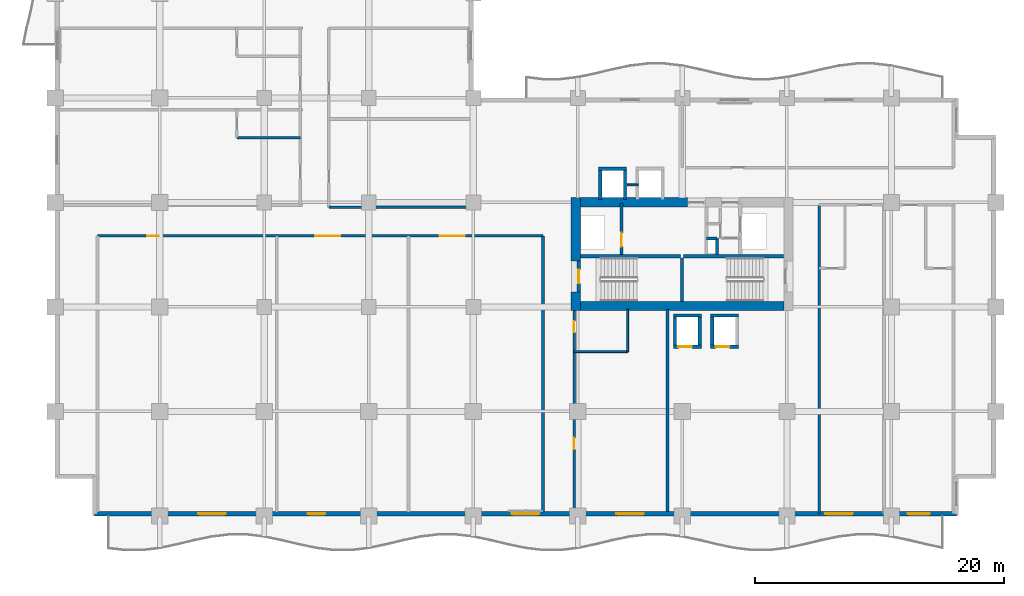
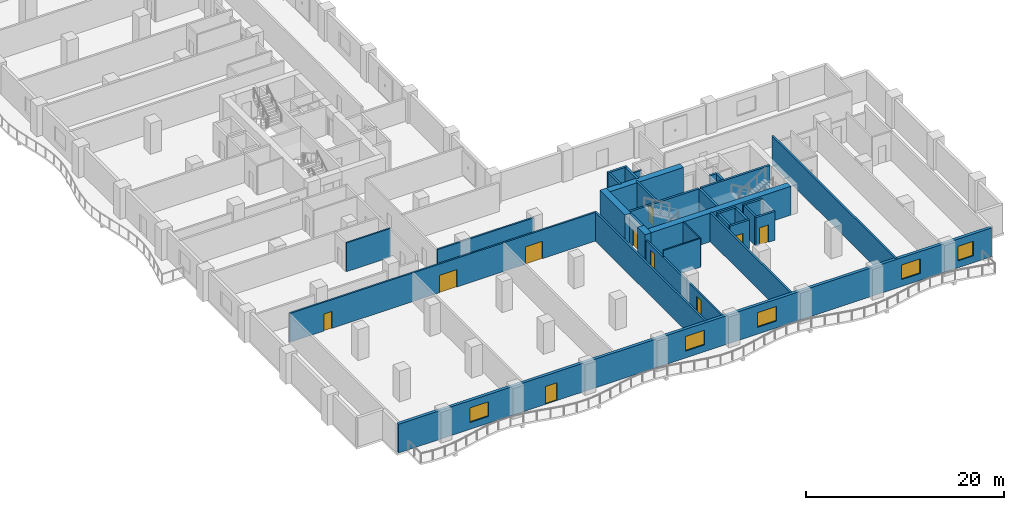
# One storey, part 4 of 18: 32 walls, 10 doors, 5 windows, 15 openings.
"""IFC4 building model written with IfcOpenShell, lengths in metres."""

from ifc_helpers import new_model, si_unit, direction, frame, frame_2d, origin, place, context, subcontext, project, spatial, rectangle, extrude, material, layer, layer_set, type_object, element, fill, save


model = new_model("IFC4")

# Units and contexts
model_context = context("Model", 3, precision=1e-05, world=origin(), true_north=direction((0.0, 1.0)))
body_context = subcontext(model_context, "Body", "Model", "MODEL_VIEW")
ifc_project = project(units=[si_unit("LENGTHUNIT", "METRE"), si_unit("AREAUNIT", "SQUARE_METRE"), si_unit("VOLUMEUNIT", "CUBIC_METRE"), si_unit("PLANEANGLEUNIT", "RADIAN"), si_unit("MASSUNIT", "GRAM", prefix="KILO")], contexts=[model_context])

# Site, building, storey
site_placement = place(None, origin())
site = spatial("IfcSite", under=ifc_project, at=site_placement, CompositionType="ELEMENT")
building_placement = place(site_placement, origin())
building = spatial("IfcBuilding", under=site, at=building_placement, Name="Koriwani Terraces Tower", CompositionType="ELEMENT")
storey_placement = place(building_placement, frame((0.0, 0.0, 145.60009765625)))
storey = spatial("IfcBuildingStorey", under=building, at=storey_placement, Name="L35", CompositionType="ELEMENT", Elevation=145.60009765625)

# Walls
ifc_material_1 = material(Name="Concrete C60/75", Category="concrete")
ifc_layer_1 = layer(ifc_material_1, 0.75, Name="Concrete C60/75")
ifc_layer_set_1 = layer_set([ifc_layer_1], Name="Concrete C60/75")
wall_type_1 = type_object("IfcWallType", Name="WALL_CORE_RC_750", PredefinedType="SHEAR", material=ifc_layer_set_1)
wall_1_placement = place(storey_placement, frame((41.824951171875, 16.5, 0.0), z_axis=(0.0, 0.0, 1.0), x_axis=(0.0, 1.0, 0.0)))
element("IfcWall", 1, at=wall_1_placement, inside=storey, type_object=wall_type_1, Name="L35 East Split Core Shear Wall W1", PredefinedType="SHEAR", context=body_context, shape_type="SweptSolid", body=[
    extrude(rectangle(XDim=1.5, YDim=0.75, at=frame_2d((0.75, 0.0))), origin(), (0.0, 0.0, 1.0), 3.5498046875),
])
wall_2_placement = place(storey_placement, frame((41.824951171875, 20.5, 0.0), z_axis=(0.0, 0.0, 1.0), x_axis=(0.0, 1.0, 0.0)))
element("IfcWall", 2, at=wall_2_placement, inside=storey, type_object=wall_type_1, Name="L35 East Split Core Shear Wall W2", PredefinedType="SHEAR", context=body_context, shape_type="SweptSolid", body=[
    extrude(rectangle(XDim=5.074951171875, YDim=0.75, at=frame_2d((2.53759765625, 0.0))), origin(), (0.0, 0.0, 1.0), 3.5498046875),
])
wall_3_placement = place(storey_placement, frame((42.199951171875, 16.875, 0.0), z_axis=(0.0, 0.0, 1.0), x_axis=(1.0, 0.0, 0.0)))
element("IfcWall", 3, at=wall_3_placement, inside=storey, type_object=wall_type_1, Name="L35 East Split Core Shear Wall S1", PredefinedType="SHEAR", context=body_context, shape_type="SweptSolid", body=[
    extrude(rectangle(XDim=16.35009765625, YDim=0.75, at=frame_2d((8.175048828125, 0.0))), origin(), (0.0, 0.0, 1.0), 3.5498046875),
])
wall_4_placement = place(storey_placement, frame((42.199951171875, 25.199951171875, 0.0), z_axis=(0.0, 0.0, 1.0), x_axis=(1.0, 0.0, 0.0)))
element("IfcWall", 4, at=wall_4_placement, inside=storey, type_object=wall_type_1, Name="L35 East Split Core Shear Wall N1", PredefinedType="SHEAR", context=body_context, shape_type="SweptSolid", body=[
    extrude(rectangle(XDim=8.60009765625, YDim=0.75, at=frame_2d((4.300048828125, 0.0))), origin(), (0.0, 0.0, 1.0), 3.5498046875),
])

# Wall, openings, doors
ifc_material_2 = material(Name="Autoclaved Cellular Concrete Blockwork", Category="masonry")
ifc_layer_2 = layer(ifc_material_2, 0.199951171875, Name="Autoclaved Cellular Concrete Blockwork")
ifc_layer_set_2 = layer_set([ifc_layer_2], Name="Autoclaved Cellular Concrete Blockwork")
wall_type_2 = type_object("IfcWallType", Name="WALL_CORRIDOR_200", PredefinedType="PARTITIONING", material=ifc_layer_set_2)
wall_5_placement = place(storey_placement, frame((41.699951171875, 0.35009765625, 0.0), z_axis=(0.0, 0.0, 1.0), x_axis=(0.0, 1.0, 0.0)))
wall_5 = element("IfcWall", 5, at=wall_5_placement, inside=storey, type_object=wall_type_2, Name="L35 Interior Wall WREC-EW-L35", PredefinedType="PARTITIONING", context=body_context, shape_type="SweptSolid", body=[
    extrude(rectangle(XDim=16.25, YDim=0.199951171875, at=frame_2d((8.125, 0.0))), origin(), (0.0, 0.0, 1.0), 2.7998046875),
])
opening_1_placement = place(wall_5_placement, frame((5.0, 0.0, 0.0)))
opening_1 = element("IfcOpeningElement", 6, at=opening_1_placement, cuts=wall_5, Name="Opening D-06", PredefinedType="OPENING", context=body_context, shape_type="SweptSolid", body=[
    extrude(rectangle(XDim=0.919921875, YDim=2.10009765625, at=frame_2d((0.4599609375, 1.050048828125))), frame((0.0, 0.10986328125, 0.0), z_axis=(0.0, -1.0, 0.0), x_axis=(1.0, 0.0, 0.0)), (0.0, 0.0, 1.0), 0.219970703125),
])
opening_2_placement = place(wall_5_placement, frame((14.39990234375, 0.0, 0.0)))
opening_2 = element("IfcOpeningElement", 7, at=opening_2_placement, cuts=wall_5, Name="Opening D-07", PredefinedType="OPENING", context=body_context, shape_type="SweptSolid", body=[
    extrude(rectangle(XDim=0.89990234375, YDim=2.10009765625, at=frame_2d((0.449951171875, 1.050048828125))), frame((0.0, 0.10986328125, 0.0), z_axis=(0.0, -1.0, 0.0), x_axis=(1.0, 0.0, 0.0)), (0.0, 0.0, 1.0), 0.219970703125),
])
ifc_material_3 = material(Name="Architectural Oak Fire Door", Category="wood")
door_type_1 = type_object("IfcDoorType", Name="DOOR_BATH_INT_900X2100", OperationType="NOTDEFINED", PredefinedType="DOOR", material=ifc_material_3)
door_1_placement = place(opening_2_placement, origin())
door_1 = element("IfcDoor", 8, at=door_1_placement, inside=storey, type_object=door_type_1, Name="L35 Linen Closet Door", OperationType="SINGLE_SWING_LEFT", OverallHeight=2.10009765625, OverallWidth=0.89990234375, PredefinedType="DOOR", context=body_context, shape_type="SweptSolid", body=[
    extrude(rectangle(XDim=0.89990234375, YDim=2.10009765625, at=frame_2d((0.449951171875, 1.050048828125))), frame((0.0, 0.02490234375, 0.0), z_axis=(0.0, -1.0, 0.0), x_axis=(1.0, 0.0, 0.0)), (0.0, 0.0, 1.0), 0.050048828125),
])
fill(opening_2, door_1)
door_type_2 = type_object("IfcDoorType", Name="DOOR_ROOM_INT_920X2100", OperationType="NOTDEFINED", PredefinedType="DOOR", material=ifc_material_3)
door_2_placement = place(opening_1_placement, origin())
door_2 = element("IfcDoor", 9, at=door_2_placement, inside=storey, type_object=door_type_2, Name="L35 Floor Study Lounge Door", OperationType="SINGLE_SWING_RIGHT", OverallHeight=2.10009765625, OverallWidth=0.919921875, PredefinedType="DOOR", context=body_context, shape_type="SweptSolid", body=[
    extrude(rectangle(XDim=0.919921875, YDim=2.10009765625, at=frame_2d((0.4599609375, 1.050048828125))), frame((0.0, 0.02490234375, 0.0), z_axis=(0.0, -1.0, 0.0), x_axis=(1.0, 0.0, 0.0)), (0.0, 0.0, 1.0), 0.050048828125),
])
fill(opening_1, door_2)

# Wall
wall_6_placement = place(storey_placement, frame((22.0, 24.800048828125, 0.0), z_axis=(0.0, 0.0, 1.0), x_axis=(1.0, 0.0, 0.0)))
element("IfcWall", 10, at=wall_6_placement, inside=storey, type_object=wall_type_2, Name="L35 Interior Wall WIC2-S-L35", PredefinedType="PARTITIONING", context=body_context, shape_type="SweptSolid", body=[
    extrude(rectangle(XDim=11.300048828125, YDim=0.199951171875, at=frame_2d((5.64990234375, 0.0))), origin(), (0.0, 0.0, 1.0), 3.5498046875),
])

# Wall, openings, doors
wall_7_placement = place(storey_placement, frame((3.39990234375, 22.5, 0.0), z_axis=(0.0, 0.0, 1.0), x_axis=(1.0, 0.0, 0.0)))
wall_7 = element("IfcWall", 11, at=wall_7_placement, inside=storey, type_object=wall_type_2, Name="L35 Interior Wall WC2CLB-L35", PredefinedType="PARTITIONING", context=body_context, shape_type="SweptSolid", body=[
    extrude(rectangle(XDim=35.800048828125, YDim=0.199951171875, at=frame_2d((17.89990234375, 0.0))), origin(), (0.0, 0.0, 1.0), 3.5498046875),
])
opening_3_placement = place(wall_7_placement, frame((4.0, 0.0, 0.0)))
opening_3 = element("IfcOpeningElement", 12, at=opening_3_placement, cuts=wall_7, Name="Opening D-06", PredefinedType="OPENING", context=body_context, shape_type="SweptSolid", body=[
    extrude(rectangle(XDim=0.919921875, YDim=2.10009765625, at=frame_2d((0.4599609375, 1.050048828125))), frame((0.0, 0.10986328125, 0.0), z_axis=(0.0, -1.0, 0.0), x_axis=(1.0, 0.0, 0.0)), (0.0, 0.0, 1.0), 0.219970703125),
])
opening_4_placement = place(wall_7_placement, frame((17.5, 0.0, 0.0)))
opening_4 = element("IfcOpeningElement", 13, at=opening_4_placement, cuts=wall_7, Name="Opening D-02", PredefinedType="OPENING", context=body_context, shape_type="SweptSolid", body=[
    extrude(rectangle(XDim=2.0, YDim=2.14990234375, at=frame_2d((1.0, 1.074951171875))), frame((0.0, 0.10986328125, 0.0), z_axis=(0.0, -1.0, 0.0), x_axis=(1.0, 0.0, 0.0)), (0.0, 0.0, 1.0), 0.219970703125),
])
opening_5_placement = place(wall_7_placement, frame((27.5, 0.0, 0.0)))
opening_5 = element("IfcOpeningElement", 14, at=opening_5_placement, cuts=wall_7, Name="Opening D-02", PredefinedType="OPENING", context=body_context, shape_type="SweptSolid", body=[
    extrude(rectangle(XDim=2.0, YDim=2.14990234375, at=frame_2d((1.0, 1.074951171875))), frame((0.0, 0.10986328125, 0.0), z_axis=(0.0, -1.0, 0.0), x_axis=(1.0, 0.0, 0.0)), (0.0, 0.0, 1.0), 0.219970703125),
])
ifc_material_4 = material(Name="Anodised Bronze Aluminium", Category="aluminium")
door_type_3 = type_object("IfcDoorType", Name="DOOR_ENTRANCE_DOUBLE_2000X2400", OperationType="NOTDEFINED", PredefinedType="DOOR", material=ifc_material_4)
door_3_placement = place(opening_4_placement, origin())
door_3 = element("IfcDoor", 15, at=door_3_placement, inside=storey, type_object=door_type_3, Name="L35 Sky Club Lounge Door", OperationType="SINGLE_SWING_RIGHT", OverallHeight=2.14990234375, OverallWidth=2.0, PredefinedType="DOOR", context=body_context, shape_type="SweptSolid", body=[
    extrude(rectangle(XDim=2.0, YDim=2.14990234375, at=frame_2d((1.0, 1.074951171875))), frame((0.0, 0.02490234375, 0.0), z_axis=(0.0, -1.0, 0.0), x_axis=(1.0, 0.0, 0.0)), (0.0, 0.0, 1.0), 0.050048828125),
])
fill(opening_4, door_3)
door_4_placement = place(opening_5_placement, origin())
door_4 = element("IfcDoor", 16, at=door_4_placement, inside=storey, type_object=door_type_3, Name="L35 Private Dining Room Door", OperationType="SINGLE_SWING_LEFT", OverallHeight=2.14990234375, OverallWidth=2.0, PredefinedType="DOOR", context=body_context, shape_type="SweptSolid", body=[
    extrude(rectangle(XDim=2.0, YDim=2.14990234375, at=frame_2d((1.0, 1.074951171875))), frame((0.0, 0.02490234375, 0.0), z_axis=(0.0, -1.0, 0.0), x_axis=(1.0, 0.0, 0.0)), (0.0, 0.0, 1.0), 0.050048828125),
])
fill(opening_5, door_4)
door_5_placement = place(opening_3_placement, origin())
door_5 = element("IfcDoor", 17, at=door_5_placement, inside=storey, type_object=door_type_2, Name="L35 Wine Tasting Cellar Door", OperationType="SINGLE_SWING_LEFT", OverallHeight=2.10009765625, OverallWidth=0.919921875, PredefinedType="DOOR", context=body_context, shape_type="SweptSolid", body=[
    extrude(rectangle(XDim=0.919921875, YDim=2.10009765625, at=frame_2d((0.4599609375, 1.050048828125))), frame((0.0, 0.02490234375, 0.0), z_axis=(0.0, -1.0, 0.0), x_axis=(1.0, 0.0, 0.0)), (0.0, 0.0, 1.0), 0.050048828125),
])
fill(opening_3, door_5)

# Walls
ifc_layer_3 = layer(ifc_material_2, 0.219970703125, Name="Autoclaved Cellular Concrete Blockwork")
ifc_layer_set_3 = layer_set([ifc_layer_3], Name="Autoclaved Cellular Concrete Blockwork")
wall_type_3 = type_object("IfcWallType", Name="WALL_DEMISING_220", PredefinedType="PARTITIONING", material=ifc_layer_set_3)
wall_8_placement = place(storey_placement, frame((49.199951171875, 0.35009765625, 0.0), z_axis=(0.0, 0.0, 1.0), x_axis=(0.0, 1.0, 0.0)))
element("IfcWall", 18, at=wall_8_placement, inside=storey, type_object=wall_type_3, Name="L35 Interior Wall WREC-EE-L35", PredefinedType="PARTITIONING", context=body_context, shape_type="SweptSolid", body=[
    extrude(rectangle(XDim=16.25, YDim=0.219970703125, at=frame_2d((8.125, 0.0))), origin(), (0.0, 0.0, 1.0), 3.5498046875),
])
wall_9_placement = place(storey_placement, frame((39.199951171875, 0.300048828125, 0.0), z_axis=(0.0, 0.0, 1.0), x_axis=(0.0, 1.0, 0.0)))
element("IfcWall", 19, at=wall_9_placement, inside=storey, type_object=wall_type_3, Name="L35 Interior Wall WC2CLBE-L35", PredefinedType="PARTITIONING", context=body_context, shape_type="SweptSolid", body=[
    extrude(rectangle(XDim=22.199951171875, YDim=0.219970703125, at=frame_2d((11.10009765625, 0.0))), origin(), (0.0, 0.0, 1.0), 3.5498046875),
])
wall_10_placement = place(storey_placement, frame((61.39990234375, 0.199951171875, 0.0), z_axis=(0.0, 0.0, 1.0), x_axis=(0.0, 1.0, 0.0)))
element("IfcWall", 20, at=wall_10_placement, inside=storey, type_object=wall_type_3, Name="L35 Interior Wall WDEM-L35-SE-0", PredefinedType="PARTITIONING", context=body_context, shape_type="SweptSolid", body=[
    extrude(rectangle(XDim=24.97998046875, YDim=0.219970703125, at=frame_2d((12.489990234375, 0.0))), origin(), (0.0, 0.0, 1.0), 3.5498046875),
])

# Wall, openings, door, windows
ifc_material_5 = material(Name="Concrete C50/60", Category="concrete")
ifc_layer_4 = layer(ifc_material_5, 0.35009765625, Name="Concrete C50/60")
ifc_layer_set_4 = layer_set([ifc_layer_4], Name="Concrete C50/60")
wall_type_4 = type_object("IfcWallType", Name="WALL_EXT_BRUTALIST_350", PredefinedType="STANDARD", material=ifc_layer_set_4)
wall_11_placement = place(storey_placement, frame((72.425048828125, 0.175048828125, 0.0), z_axis=(0.0, 0.0, 1.0), x_axis=(-1.0, 0.0, 0.0)))
wall_11 = element("IfcWall", 21, at=wall_11_placement, inside=storey, type_object=wall_type_4, Name="L35 Fair-Faced Brutalist Exterior Wall (S)", PredefinedType="STANDARD", context=body_context, shape_type="SweptSolid", body=[
    extrude(rectangle(XDim=69.25, YDim=0.35009765625, at=frame_2d((34.625, 0.0))), origin(), (0.0, 0.0, 1.0), 3.5498046875),
])
opening_6_placement = place(wall_11_placement, frame((50.72509765625, 0.0, 0.0)))
opening_6 = element("IfcOpeningElement", 22, at=opening_6_placement, cuts=wall_11, Name="Opening D-09", PredefinedType="OPENING", context=body_context, shape_type="SweptSolid", body=[
    extrude(rectangle(XDim=1.39990234375, YDim=2.199951171875, at=frame_2d((0.699951171875, 1.10009765625))), frame((0.0, 0.18505859375, 0.0), z_axis=(0.0, -1.0, 0.0), x_axis=(1.0, 0.0, 0.0)), (0.0, 0.0, 1.0), 0.3701171875),
])
opening_7_placement = place(wall_11_placement, frame((58.72509765625, 0.0, 0.85009765625)))
opening_7 = element("IfcOpeningElement", 23, at=opening_7_placement, cuts=wall_11, Name="Opening W-01", PredefinedType="OPENING", context=body_context, shape_type="SweptSolid", body=[
    extrude(rectangle(XDim=2.199951171875, YDim=1.800048828125, at=frame_2d((1.10009765625, 0.89990234375))), frame((0.0, 0.18505859375, 0.0), z_axis=(0.0, -1.0, 0.0), x_axis=(1.0, 0.0, 0.0)), (0.0, 0.0, 1.0), 0.3701171875),
])
opening_8_placement = place(wall_11_placement, frame((33.52490234375, 0.0, 0.85009765625)))
opening_8 = element("IfcOpeningElement", 24, at=opening_8_placement, cuts=wall_11, Name="Opening W-01", PredefinedType="OPENING", context=body_context, shape_type="SweptSolid", body=[
    extrude(rectangle(XDim=2.199951171875, YDim=1.800048828125, at=frame_2d((1.10009765625, 0.89990234375))), frame((0.0, 0.18505859375, 0.0), z_axis=(0.0, -1.0, 0.0), x_axis=(1.0, 0.0, 0.0)), (0.0, 0.0, 1.0), 0.3701171875),
])
opening_9_placement = place(wall_11_placement, frame((25.125, 0.0, 0.85009765625)))
opening_9 = element("IfcOpeningElement", 25, at=opening_9_placement, cuts=wall_11, Name="Opening W-01", PredefinedType="OPENING", context=body_context, shape_type="SweptSolid", body=[
    extrude(rectangle(XDim=2.199951171875, YDim=1.800048828125, at=frame_2d((1.10009765625, 0.89990234375))), frame((0.0, 0.18505859375, 0.0), z_axis=(0.0, -1.0, 0.0), x_axis=(1.0, 0.0, 0.0)), (0.0, 0.0, 1.0), 0.3701171875),
])
opening_10_placement = place(wall_11_placement, frame((8.324951171875, 0.0, 0.85009765625)))
opening_10 = element("IfcOpeningElement", 26, at=opening_10_placement, cuts=wall_11, Name="Opening W-01", PredefinedType="OPENING", context=body_context, shape_type="SweptSolid", body=[
    extrude(rectangle(XDim=2.199951171875, YDim=1.800048828125, at=frame_2d((1.10009765625, 0.89990234375))), frame((0.0, 0.18505859375, 0.0), z_axis=(0.0, -1.0, 0.0), x_axis=(1.0, 0.0, 0.0)), (0.0, 0.0, 1.0), 0.3701171875),
])
opening_11_placement = place(wall_11_placement, frame((2.125, 0.0, 0.85009765625)))
opening_11 = element("IfcOpeningElement", 27, at=opening_11_placement, cuts=wall_11, Name="Opening W-04", PredefinedType="OPENING", context=body_context, shape_type="SweptSolid", body=[
    extrude(rectangle(XDim=1.800048828125, YDim=1.800048828125, at=frame_2d((0.89990234375, 0.89990234375))), frame((0.0, 0.18505859375, 0.0), z_axis=(0.0, -1.0, 0.0), x_axis=(1.0, 0.0, 0.0)), (0.0, 0.0, 1.0), 0.3701171875),
])
door_type_4 = type_object("IfcDoorType", Name="DOOR_BALCONY_GLAZED_1400X2200", OperationType="NOTDEFINED", PredefinedType="DOOR", material=ifc_material_4)
door_6_placement = place(opening_6_placement, origin())
door_6 = element("IfcDoor", 28, at=door_6_placement, inside=storey, type_object=door_type_4, Name="L35 South Balcony Glazed Door", OperationType="SINGLE_SWING_LEFT", OverallHeight=2.199951171875, OverallWidth=1.39990234375, PredefinedType="DOOR", context=body_context, shape_type="SweptSolid", body=[
    extrude(rectangle(XDim=1.39990234375, YDim=2.199951171875, at=frame_2d((0.699951171875, 1.10009765625))), frame((0.0, 0.02490234375, 0.0), z_axis=(0.0, -1.0, 0.0), x_axis=(1.0, 0.0, 0.0)), (0.0, 0.0, 1.0), 0.050048828125),
])
fill(opening_6, door_6)
ifc_material_6 = material(Name="Tempered Laminated Low-E Glass", Category="glass")
window_type_1 = type_object("IfcWindowType", Name="WIN_HOTEL_STD_2200X1800", PartitioningType="DOUBLE_PANEL_VERTICAL", PredefinedType="WINDOW", material=ifc_material_6)
window_1_placement = place(opening_7_placement, origin())
window_1 = element("IfcWindow", 29, at=window_1_placement, inside=storey, type_object=window_type_1, Name="L35 Exterior Window (S-3)", OverallHeight=1.800048828125, OverallWidth=2.199951171875, PartitioningType="SINGLE_PANEL", PredefinedType="WINDOW", context=body_context, shape_type="SweptSolid", body=[
    extrude(rectangle(XDim=2.199951171875, YDim=1.800048828125, at=frame_2d((1.10009765625, 0.89990234375))), frame((0.0, 0.030029296875, 0.0), z_axis=(0.0, -1.0, 0.0), x_axis=(1.0, 0.0, 0.0)), (0.0, 0.0, 1.0), 0.06005859375),
])
fill(opening_7, window_1)
window_2_placement = place(opening_8_placement, origin())
window_2 = element("IfcWindow", 30, at=window_2_placement, inside=storey, type_object=window_type_1, Name="L35 Exterior Window (S-12)", OverallHeight=1.800048828125, OverallWidth=2.199951171875, PartitioningType="SINGLE_PANEL", PredefinedType="WINDOW", context=body_context, shape_type="SweptSolid", body=[
    extrude(rectangle(XDim=2.199951171875, YDim=1.800048828125, at=frame_2d((1.10009765625, 0.89990234375))), frame((0.0, 0.030029296875, 0.0), z_axis=(0.0, -1.0, 0.0), x_axis=(1.0, 0.0, 0.0)), (0.0, 0.0, 1.0), 0.06005859375),
])
fill(opening_8, window_2)
window_3_placement = place(opening_9_placement, origin())
window_3 = element("IfcWindow", 31, at=window_3_placement, inside=storey, type_object=window_type_1, Name="L35 Exterior Window (S-15)", OverallHeight=1.800048828125, OverallWidth=2.199951171875, PartitioningType="SINGLE_PANEL", PredefinedType="WINDOW", context=body_context, shape_type="SweptSolid", body=[
    extrude(rectangle(XDim=2.199951171875, YDim=1.800048828125, at=frame_2d((1.10009765625, 0.89990234375))), frame((0.0, 0.030029296875, 0.0), z_axis=(0.0, -1.0, 0.0), x_axis=(1.0, 0.0, 0.0)), (0.0, 0.0, 1.0), 0.06005859375),
])
fill(opening_9, window_3)
window_4_placement = place(opening_10_placement, origin())
window_4 = element("IfcWindow", 32, at=window_4_placement, inside=storey, type_object=window_type_1, Name="L35 Exterior Window (S-21)", OverallHeight=1.800048828125, OverallWidth=2.199951171875, PartitioningType="SINGLE_PANEL", PredefinedType="WINDOW", context=body_context, shape_type="SweptSolid", body=[
    extrude(rectangle(XDim=2.199951171875, YDim=1.800048828125, at=frame_2d((1.10009765625, 0.89990234375))), frame((0.0, 0.030029296875, 0.0), z_axis=(0.0, -1.0, 0.0), x_axis=(1.0, 0.0, 0.0)), (0.0, 0.0, 1.0), 0.06005859375),
])
fill(opening_10, window_4)
window_type_2 = type_object("IfcWindowType", Name="WIN_RES_BED_1800X1800", PartitioningType="DOUBLE_PANEL_VERTICAL", PredefinedType="WINDOW", material=ifc_material_6)
window_5_placement = place(opening_11_placement, origin())
window_5 = element("IfcWindow", 33, at=window_5_placement, inside=storey, type_object=window_type_2, Name="L35 Exterior Window (S-R50)", OverallHeight=1.800048828125, OverallWidth=1.800048828125, PartitioningType="SINGLE_PANEL", PredefinedType="WINDOW", context=body_context, shape_type="SweptSolid", body=[
    extrude(rectangle(XDim=1.800048828125, YDim=1.800048828125, at=frame_2d((0.89990234375, 0.89990234375))), frame((0.0, 0.030029296875, 0.0), z_axis=(0.0, -1.0, 0.0), x_axis=(1.0, 0.0, 0.0)), (0.0, 0.0, 1.0), 0.06005859375),
])
fill(opening_11, window_5)

# Walls
ifc_material_7 = material(Name="Fire-Rated Acoustic Gypsum Partition", Category="masonry")
ifc_layer_5 = layer(ifc_material_7, 0.179931640625, Name="Fire-Rated Acoustic Gypsum Partition")
ifc_layer_set_5 = layer_set([ifc_layer_5], Name="Fire-Rated Acoustic Gypsum Partition")
wall_type_5 = type_object("IfcWallType", Name="WALL_PLUMBING_180", PredefinedType="PLUMBINGWALL", material=ifc_layer_set_5)
wall_12_placement = place(storey_placement, frame((14.60009765625, 30.39990234375, 0.0), z_axis=(0.0, 0.0, 1.0), x_axis=(1.0, 0.0, 0.0)))
element("IfcWall", 34, at=wall_12_placement, inside=storey, type_object=wall_type_5, Name="L35 Interior Wall WBTH2-L35-NW-0", PredefinedType="PLUMBINGWALL", context=body_context, shape_type="SweptSolid", body=[
    extrude(rectangle(XDim=5.099853515625, YDim=0.179931640625, at=frame_2d((2.5498046875, 0.0))), origin(), (0.0, 0.0, 1.0), 3.5498046875),
])
ifc_material_8 = material(Name="Concrete C40/50", Category="concrete")
ifc_layer_6 = layer(ifc_material_8, 0.25, Name="Concrete C40/50")
ifc_layer_set_6 = layer_set([ifc_layer_6], Name="Concrete C40/50")
wall_type_6 = type_object("IfcWallType", Name="WALL_SHAFT_RATED_250", PredefinedType="SOLIDWALL", material=ifc_layer_set_6)
for number, where, z_axis, x_axis, name in (
    (35, (42.199951171875, 20.875, 0.0), (0.0, 0.0, 1.0), (1.0, 0.0, 0.0), "L35 East Split Core Web Wall MID1"),
    (36, (50.5, 20.875, 0.0), (0.0, 0.0, 1.0), (1.0, 0.0, 0.0), "L35 East Split Core Web Wall MID2"),
):
    element("IfcWall", number, at=place(storey_placement, frame(where, z_axis=z_axis, x_axis=x_axis)), inside=storey, type_object=wall_type_6, Name=name, PredefinedType="SOLIDWALL", context=body_context, shape_type="SweptSolid", body=[
        extrude(rectangle(XDim=8.050048828125, YDim=0.25, at=frame_2d((4.02490234375, 0.0))), origin(), (0.0, 0.0, 1.0), 3.5498046875),
    ])
wall_13_placement = place(storey_placement, frame((50.375, 17.25, 0.0), z_axis=(0.0, 0.0, 1.0), x_axis=(0.0, 1.0, 0.0)))
element("IfcWall", 37, at=wall_13_placement, inside=storey, type_object=wall_type_6, Name="L35 East Split Core Stair Dividing Wall", PredefinedType="SOLIDWALL", context=body_context, shape_type="SweptSolid", body=[
    extrude(rectangle(XDim=3.5, YDim=0.25, at=frame_2d((1.75, 0.0))), origin(), (0.0, 0.0, 1.0), 3.5498046875),
])

# Wall, opening, door
wall_14_placement = place(storey_placement, frame((42.074951171875, 18.0, 0.0), z_axis=(0.0, 0.0, 1.0), x_axis=(0.0, 1.0, 0.0)))
wall_14 = element("IfcWall", 38, at=wall_14_placement, inside=storey, type_object=wall_type_6, Name="L35 Interior Wall WIN-CE-L35-STW", PredefinedType="SOLIDWALL", context=body_context, shape_type="SweptSolid", body=[
    extrude(rectangle(XDim=2.5, YDim=0.25, at=frame_2d((1.25, 0.0))), origin(), (0.0, 0.0, 1.0), 3.5498046875),
])
opening_12_placement = place(wall_14_placement, frame((0.699951171875, 0.0, 0.0)))
opening_12 = element("IfcOpeningElement", 39, at=opening_12_placement, cuts=wall_14, Name="Opening D-03", PredefinedType="OPENING", context=body_context, shape_type="SweptSolid", body=[
    extrude(rectangle(XDim=1.10009765625, YDim=2.14990234375, at=frame_2d((0.550048828125, 1.074951171875))), frame((0.0, 0.135009765625, 0.0), z_axis=(0.0, -1.0, 0.0), x_axis=(1.0, 0.0, 0.0)), (0.0, 0.0, 1.0), 0.27001953125),
])
ifc_material_9 = material(Name="Steel ASTM A572 Grade 50", Category="steel")
door_type_5 = type_object("IfcDoorType", Name="DOOR_STAIR_FIRE_1100X2150", OperationType="NOTDEFINED", PredefinedType="DOOR", material=ifc_material_9)
door_7_placement = place(opening_12_placement, origin())
door_7 = element("IfcDoor", 40, at=door_7_placement, inside=storey, type_object=door_type_5, Name="L35 Exit Stair ST-E1 Door", OperationType="SINGLE_SWING_RIGHT", OverallHeight=2.14990234375, OverallWidth=1.10009765625, PredefinedType="DOOR", context=body_context, shape_type="SweptSolid", body=[
    extrude(rectangle(XDim=1.10009765625, YDim=2.14990234375, at=frame_2d((0.550048828125, 1.074951171875))), frame((0.0, 0.02490234375, 0.0), z_axis=(0.0, -1.0, 0.0), x_axis=(1.0, 0.0, 0.0)), (0.0, 0.0, 1.0), 0.050048828125),
])
fill(opening_12, door_7)

wall_15_placement = place(storey_placement, frame((45.5, 21.0, 0.0), z_axis=(0.0, 0.0, 1.0), x_axis=(0.0, 1.0, 0.0)))
wall_15 = element("IfcWall", 41, at=wall_15_placement, inside=storey, type_object=wall_type_6, Name="L35 Interior Wall WIN-CE-L35-FE", PredefinedType="SOLIDWALL", context=body_context, shape_type="SweptSolid", body=[
    extrude(rectangle(XDim=4.14990234375, YDim=0.25, at=frame_2d((2.074951171875, 0.0))), origin(), (0.0, 0.0, 1.0), 3.5498046875),
])
opening_13_placement = place(wall_15_placement, frame((0.64990234375, 0.0, 0.0)))
opening_13 = element("IfcOpeningElement", 42, at=opening_13_placement, cuts=wall_15, Name="Opening LD-01", PredefinedType="OPENING", context=body_context, shape_type="SweptSolid", body=[
    extrude(rectangle(XDim=1.10009765625, YDim=2.14990234375, at=frame_2d((0.550048828125, 1.074951171875))), frame((0.0, 0.135009765625, 0.0), z_axis=(0.0, -1.0, 0.0), x_axis=(1.0, 0.0, 0.0)), (0.0, 0.0, 1.0), 0.27001953125),
])
door_type_6 = type_object("IfcDoorType", Name="DOOR_LIFT_LANDING_1100X2200", OperationType="NOTDEFINED", PredefinedType="DOOR", material=ifc_material_9)
door_8_placement = place(opening_13_placement, origin())
door_8 = element("IfcDoor", 43, at=door_8_placement, inside=storey, type_object=door_type_6, Name="L35 Firefighting Lift FE-02 Landing Door", OperationType="SLIDING_TO_LEFT", OverallHeight=2.14990234375, OverallWidth=1.10009765625, PredefinedType="DOOR", context=body_context, shape_type="SweptSolid", body=[
    extrude(rectangle(XDim=1.10009765625, YDim=2.14990234375, at=frame_2d((0.550048828125, 1.074951171875))), frame((0.0, 0.02490234375, 0.0), z_axis=(0.0, -1.0, 0.0), x_axis=(1.0, 0.0, 0.0)), (0.0, 0.0, 1.0), 0.050048828125),
])
fill(opening_13, door_8)

# Walls
wall_16_placement = place(storey_placement, frame((53.199951171875, 21.0, 0.0), z_axis=(0.0, 0.0, 1.0), x_axis=(0.0, 1.0, 0.0)))
element("IfcWall", 44, at=wall_16_placement, inside=storey, type_object=wall_type_6, Name="L35 Interior Wall WIN-CE-L35-RS1", PredefinedType="SOLIDWALL", context=body_context, shape_type="SweptSolid", body=[
    extrude(rectangle(XDim=1.300048828125, YDim=0.25, at=frame_2d((0.64990234375, 0.0))), origin(), (0.0, 0.0, 1.0), 3.5498046875),
])
wall_17_placement = place(storey_placement, frame((52.360107421875, 22.300048828125, 0.0), z_axis=(0.0, 0.0, 1.0), x_axis=(1.0, 0.0, 0.0)))
element("IfcWall", 45, at=wall_17_placement, inside=storey, type_object=wall_type_6, Name="L35 Interior Wall WIN-CE-L35-RS2", PredefinedType="SOLIDWALL", context=body_context, shape_type="SweptSolid", body=[
    extrude(rectangle(XDim=0.83984375, YDim=0.25, at=frame_2d((0.419921875, 0.0))), origin(), (0.0, 0.0, 1.0), 3.5498046875),
])

# Wall, opening, door
wall_18_placement = place(storey_placement, frame((49.675048828125, 13.60009765625, 0.0), z_axis=(0.0, 0.0, 1.0), x_axis=(1.0, 0.0, 0.0)))
wall_18 = element("IfcWall", 46, at=wall_18_placement, inside=storey, type_object=wall_type_6, Name="L35 Interior Wall WIN-LF-PE-M3-L35-F", PredefinedType="SOLIDWALL", context=body_context, shape_type="SweptSolid", body=[
    extrude(rectangle(XDim=2.25, YDim=0.25, at=frame_2d((1.125, 0.0))), origin(), (0.0, 0.0, 1.0), 3.5498046875),
])
opening_14_placement = place(wall_18_placement, frame((0.39990234375, 0.0, 0.0)))
opening_14 = element("IfcOpeningElement", 47, at=opening_14_placement, cuts=wall_18, Name="Opening LD-01", PredefinedType="OPENING", context=body_context, shape_type="SweptSolid", body=[
    extrude(rectangle(XDim=1.10009765625, YDim=2.14990234375, at=frame_2d((0.550048828125, 1.074951171875))), frame((0.0, 0.135009765625, 0.0), z_axis=(0.0, -1.0, 0.0), x_axis=(1.0, 0.0, 0.0)), (0.0, 0.0, 1.0), 0.27001953125),
])
door_9_placement = place(opening_14_placement, origin())
door_9 = element("IfcDoor", 48, at=door_9_placement, inside=storey, type_object=door_type_6, Name="L35 Passenger Lift PE-M3 Landing Door", OperationType="SLIDING_TO_LEFT", OverallHeight=2.14990234375, OverallWidth=1.10009765625, PredefinedType="DOOR", context=body_context, shape_type="SweptSolid", body=[
    extrude(rectangle(XDim=1.10009765625, YDim=2.14990234375, at=frame_2d((0.550048828125, 1.074951171875))), frame((0.0, 0.02490234375, 0.0), z_axis=(0.0, -1.0, 0.0), x_axis=(1.0, 0.0, 0.0)), (0.0, 0.0, 1.0), 0.050048828125),
])
fill(opening_14, door_9)

# Walls
for number, where, z_axis, x_axis, name in (
    (49, (49.675048828125, 16.10009765625, 0.0), (0.0, 0.0, 1.0), (1.0, 0.0, 0.0), "L35 Interior Wall WIN-LF-PE-M3-L35-B"),
    (50, (49.800048828125, 13.72509765625, 0.0), (0.0, 0.0, 1.0), (0.0, 1.0, 0.0), "L35 Interior Wall WIN-LF-PE-M3-L35-W"),
    (51, (51.800048828125, 13.72509765625, 0.0), (0.0, 0.0, 1.0), (0.0, 1.0, 0.0), "L35 Interior Wall WIN-LF-PE-M3-L35-E"),
):
    element("IfcWall", number, at=place(storey_placement, frame(where, z_axis=z_axis, x_axis=x_axis)), inside=storey, type_object=wall_type_6, Name=name, PredefinedType="SOLIDWALL", context=body_context, shape_type="SweptSolid", body=[
        extrude(rectangle(XDim=2.25, YDim=0.25, at=frame_2d((1.125, 0.0))), origin(), (0.0, 0.0, 1.0), 3.5498046875),
    ])

# Wall, opening, door
wall_19_placement = place(storey_placement, frame((52.675048828125, 13.60009765625, 0.0), z_axis=(0.0, 0.0, 1.0), x_axis=(1.0, 0.0, 0.0)))
wall_19 = element("IfcWall", 52, at=wall_19_placement, inside=storey, type_object=wall_type_6, Name="L35 Interior Wall WIN-LF-PE-M4-L35-F", PredefinedType="SOLIDWALL", context=body_context, shape_type="SweptSolid", body=[
    extrude(rectangle(XDim=2.25, YDim=0.25, at=frame_2d((1.125, 0.0))), origin(), (0.0, 0.0, 1.0), 3.5498046875),
])
opening_15_placement = place(wall_19_placement, frame((0.39990234375, 0.0, 0.0)))
opening_15 = element("IfcOpeningElement", 53, at=opening_15_placement, cuts=wall_19, Name="Opening LD-01", PredefinedType="OPENING", context=body_context, shape_type="SweptSolid", body=[
    extrude(rectangle(XDim=1.10009765625, YDim=2.14990234375, at=frame_2d((0.550048828125, 1.074951171875))), frame((0.0, 0.135009765625, 0.0), z_axis=(0.0, -1.0, 0.0), x_axis=(1.0, 0.0, 0.0)), (0.0, 0.0, 1.0), 0.27001953125),
])
door_10_placement = place(opening_15_placement, origin())
door_10 = element("IfcDoor", 54, at=door_10_placement, inside=storey, type_object=door_type_6, Name="L35 Passenger Lift PE-M4 Landing Door", OperationType="SLIDING_TO_LEFT", OverallHeight=2.14990234375, OverallWidth=1.10009765625, PredefinedType="DOOR", context=body_context, shape_type="SweptSolid", body=[
    extrude(rectangle(XDim=1.10009765625, YDim=2.14990234375, at=frame_2d((0.550048828125, 1.074951171875))), frame((0.0, 0.02490234375, 0.0), z_axis=(0.0, -1.0, 0.0), x_axis=(1.0, 0.0, 0.0)), (0.0, 0.0, 1.0), 0.050048828125),
])
fill(opening_15, door_10)

# Walls
for number, where, z_axis, x_axis, name in (
    (55, (52.675048828125, 16.10009765625, 0.0), (0.0, 0.0, 1.0), (1.0, 0.0, 0.0), "L35 Interior Wall WIN-LF-PE-M4-L35-B"),
    (56, (52.800048828125, 13.72509765625, 0.0), (0.0, 0.0, 1.0), (0.0, 1.0, 0.0), "L35 Interior Wall WIN-LF-PE-M4-L35-W"),
    (57, (43.675048828125, 27.89990234375, 0.0), (0.0, 0.0, 1.0), (1.0, 0.0, 0.0), "L35 Interior Wall WIN-LF-PE-H3-L35-F"),
):
    element("IfcWall", number, at=place(storey_placement, frame(where, z_axis=z_axis, x_axis=x_axis)), inside=storey, type_object=wall_type_6, Name=name, PredefinedType="SOLIDWALL", context=body_context, shape_type="SweptSolid", body=[
        extrude(rectangle(XDim=2.25, YDim=0.25, at=frame_2d((1.125, 0.0))), origin(), (0.0, 0.0, 1.0), 3.5498046875),
    ])
for number, where, z_axis, x_axis, name in (
    (58, (43.800048828125, 25.449951171875, 0.0), (0.0, 0.0, 1.0), (0.0, 1.0, 0.0), "L35 Interior Wall WIN-LF-PE-H3-L35-W"),
    (59, (45.800048828125, 25.449951171875, 0.0), (0.0, 0.0, 1.0), (0.0, 1.0, 0.0), "L35 Interior Wall WIN-LF-PE-H3-L35-E"),
):
    element("IfcWall", number, at=place(storey_placement, frame(where, z_axis=z_axis, x_axis=x_axis)), inside=storey, type_object=wall_type_6, Name=name, PredefinedType="SOLIDWALL", context=body_context, shape_type="SweptSolid", body=[
        extrude(rectangle(XDim=2.324951171875, YDim=0.25, at=frame_2d((1.16259765625, 0.0))), origin(), (0.0, 0.0, 1.0), 3.5498046875),
    ])
ifc_layer_7 = layer(ifc_material_7, 0.159912109375, Name="Fire-Rated Acoustic Gypsum Partition")
ifc_layer_set_7 = layer_set([ifc_layer_7], Name="Fire-Rated Acoustic Gypsum Partition")
wall_type_7 = type_object("IfcWallType", Name="WALL_SUITE_160", PredefinedType="PARTITIONING", material=ifc_layer_set_7)
wall_20_placement = place(storey_placement, frame((45.9599609375, 26.60009765625, 0.0), z_axis=(0.0, 0.0, 1.0), x_axis=(1.0, 0.0, 0.0)))
element("IfcWall", 60, at=wall_20_placement, inside=storey, type_object=wall_type_7, Name="L35 Interior Wall WIN-LF-PEH34-MID-L35", PredefinedType="PARTITIONING", context=body_context, shape_type="SweptSolid", body=[
    extrude(rectangle(XDim=0.880126953125, YDim=0.159912109375, at=frame_2d((0.43994140625, 0.0))), origin(), (0.0, 0.0, 1.0), 3.5498046875),
])
wall_21_placement = place(storey_placement, frame((41.699951171875, 13.199951171875, 0.0), z_axis=(0.0, 0.0, 1.0), x_axis=(1.0, 0.0, 0.0)))
element("IfcWall", 61, at=wall_21_placement, inside=storey, type_object=wall_type_7, Name="L35 Interior Wall WREC-EM-L35", PredefinedType="PARTITIONING", context=body_context, shape_type="SweptSolid", body=[
    extrude(rectangle(XDim=4.300048828125, YDim=0.159912109375, at=frame_2d((2.14990234375, 0.0))), origin(), (0.0, 0.0, 1.0), 3.5498046875),
])
wall_22_placement = place(storey_placement, frame((46.0, 13.199951171875, 0.0), z_axis=(0.0, 0.0, 1.0), x_axis=(0.0, 1.0, 0.0)))
element("IfcWall", 62, at=wall_22_placement, inside=storey, type_object=wall_type_7, Name="L35 Interior Wall WREC-EV-L35", PredefinedType="PARTITIONING", context=body_context, shape_type="SweptSolid", body=[
    extrude(rectangle(XDim=3.400146484375, YDim=0.159912109375, at=frame_2d((1.7001953125, 0.0))), origin(), (0.0, 0.0, 1.0), 3.5498046875),
])

save(model, "model.ifc")
